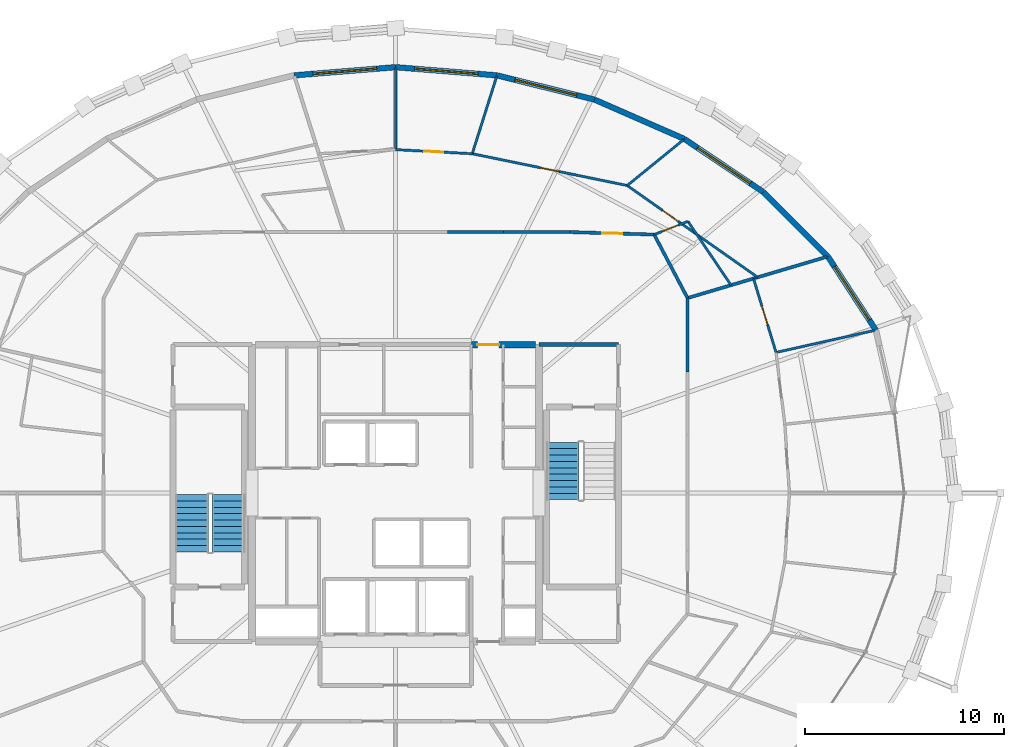
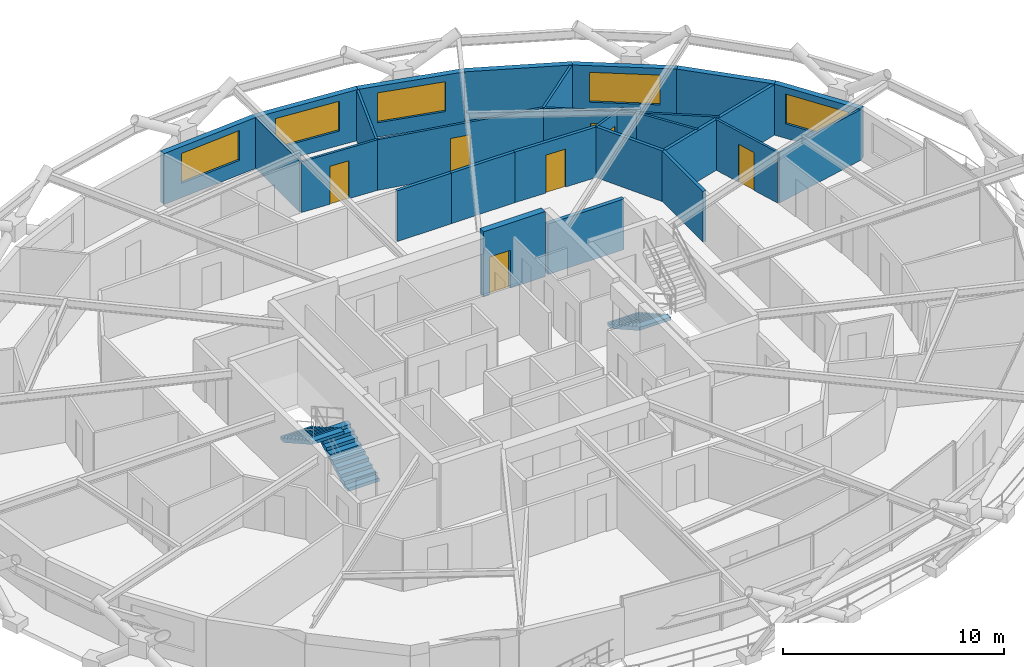
# One storey, part 18 of 20: 25 walls, 7 doors, 5 windows, 3 stair flights, 12 openings, 2 elements without a shape of their own.
"""IFC4 building model written with IfcOpenShell, lengths in metres."""

from ifc_helpers import new_model, si_unit, direction, frame, frame_2d, origin, place, context, subcontext, project, spatial, polyline, rectangle, outline, extrude, material, layer, layer_set, type_object, element, fill, aggregate, save


model = new_model("IFC4")

# Units and contexts
model_context = context("Model", 3, precision=1e-05, world=origin(), true_north=direction((0.0, 1.0)))
body_context = subcontext(model_context, "Body", "Model", "MODEL_VIEW")
ifc_project = project(units=[si_unit("LENGTHUNIT", "METRE"), si_unit("AREAUNIT", "SQUARE_METRE"), si_unit("VOLUMEUNIT", "CUBIC_METRE"), si_unit("PLANEANGLEUNIT", "RADIAN"), si_unit("MASSUNIT", "GRAM", prefix="KILO")], contexts=[model_context])

# Site, building, storey
site_placement = place(None, origin())
site = spatial("IfcSite", under=ifc_project, at=site_placement, CompositionType="ELEMENT")
building_placement = place(site_placement, origin())
building = spatial("IfcBuilding", under=site, at=building_placement, Name="Veldorina Hangang Commons", CompositionType="ELEMENT")
storey_placement = place(building_placement, frame((0.0, 0.0, 171.199951171875)))
storey = spatial("IfcBuildingStorey", under=building, at=storey_placement, Name="L44", CompositionType="ELEMENT", Elevation=171.199951171875)

# Wall, opening, door
ifc_material_1 = material(Name="Concrete C60/75", Category="concrete")
ifc_layer_1 = layer(ifc_material_1, 0.340087890625)
ifc_layer_set_1 = layer_set([ifc_layer_1], Name="Concrete C60/75")
wall_type_1 = type_object("IfcWallType", Name="CW-RC340-C60", PredefinedType="SHEAR", material=ifc_layer_set_1)
wall_1_placement = place(storey_placement, frame((35.800048828125, 31.449951171875, 0.0), z_axis=(0.0, 0.0, 1.0), x_axis=(1.0, 0.0, 0.0)))
wall_1 = element("IfcWall", 1, at=wall_1_placement, inside=storey, type_object=wall_type_1, Name="L44 north-east core shear wall", PredefinedType="SHEAR", context=body_context, shape_type="SweptSolid", body=[
    extrude(rectangle(XDim=3.22998046875, YDim=0.340087890625, at=frame_2d((1.614990234375, 0.0))), origin(), (0.0, 0.0, 1.0), 3.60009765625),
])
opening_1_placement = place(wall_1_placement, frame((0.300048828125, 0.0, 0.0)))
opening_1 = element("IfcOpeningElement", 2, at=opening_1_placement, cuts=wall_1, Name="Opening D-08", PredefinedType="OPENING", context=body_context, shape_type="SweptSolid", body=[
    extrude(rectangle(XDim=1.10009765625, YDim=2.10009765625, at=frame_2d((0.550048828125, 1.050048828125))), frame((0.0, 0.18017578125, 0.0), z_axis=(0.0, -1.0, 0.0), x_axis=(1.0, 0.0, 0.0)), (0.0, 0.0, 1.0), 0.360107421875),
])
ifc_material_2 = material(Name="Steel Fire-Rated Smoke Seal", Category="steel")
door_type_1 = type_object("IfcDoorType", Name="DR-FIRE-1100", OperationType="SINGLE_SWING_RIGHT", PredefinedType="DOOR", material=ifc_material_2)
door_1_placement = place(opening_1_placement, origin())
door_1 = element("IfcDoor", 3, at=door_1_placement, inside=storey, type_object=door_type_1, Name="L44 central lift lobby north corridor door", OperationType="SINGLE_SWING_LEFT", OverallHeight=2.10009765625, OverallWidth=1.10009765625, PredefinedType="DOOR", context=body_context, shape_type="SweptSolid", body=[
    extrude(rectangle(XDim=1.10009765625, YDim=2.10009765625, at=frame_2d((0.550048828125, 1.050048828125))), frame((0.0, 0.02490234375, 0.0), z_axis=(0.0, -1.0, 0.0), x_axis=(1.0, 0.0, 0.0)), (0.0, 0.0, 1.0), 0.050048828125),
])
fill(opening_1, door_1)

# Wall, opening, window
ifc_material_3 = material(Name="Stone Roman Travertine", Category="masonry")
ifc_layer_2 = layer(ifc_material_3, 0.280029296875)
ifc_layer_set_2 = layer_set([ifc_layer_2], Name="Stone Roman Travertine")
wall_type_2 = type_object("IfcWallType", Name="EW-TRAV-280", PredefinedType="STANDARD", material=ifc_layer_set_2)
wall_2_placement = place(storey_placement, frame((56.10205078125, 32.17919921875, 0.0), z_axis=(0.0, 0.0, 1.0), x_axis=(-0.546411241489, 0.837517017841, 0.0)))
wall_2 = element("IfcWall", 4, at=wall_2_placement, inside=storey, type_object=wall_type_2, Name="L44 travertine facade wall 02", PredefinedType="STANDARD", context=body_context, shape_type="SweptSolid", body=[
    extrude(rectangle(XDim=4.412109375, YDim=0.280029296875, at=frame_2d((2.2060546875, 0.0))), origin(), (0.0, 0.0, 1.0), 2.820068359375),
])
opening_2_placement = place(wall_2_placement, frame((0.60595703125, 0.0, 0.800048828125)))
opening_2 = element("IfcOpeningElement", 5, at=opening_2_placement, cuts=wall_2, Name="Opening W-01", PredefinedType="OPENING", context=body_context, shape_type="SweptSolid", body=[
    extrude(rectangle(XDim=3.199951171875, YDim=1.64990234375, at=frame_2d((1.60009765625, 0.824951171875))), frame((0.0, 0.14990234375, 0.0), z_axis=(0.0, -1.0, 0.0), x_axis=(1.0, 0.0, 0.0)), (0.0, 0.0, 1.0), 0.300048828125),
])
ifc_material_4 = material(Name="Glass Low-E Triple IGU", Category="glass")
window_type = type_object("IfcWindowType", Name="WIN-TWR-3200", PartitioningType="SINGLE_PANEL", PredefinedType="WINDOW", material=ifc_material_4)
window_1_placement = place(opening_2_placement, origin())
window_1 = element("IfcWindow", 6, at=window_1_placement, inside=storey, type_object=window_type, Name="L44 facade window 02", OverallHeight=1.64990234375, OverallWidth=3.199951171875, PartitioningType="SINGLE_PANEL", PredefinedType="WINDOW", context=body_context, shape_type="SweptSolid", body=[
    extrude(rectangle(XDim=3.199951171875, YDim=1.64990234375, at=frame_2d((1.60009765625, 0.824951171875))), frame((0.0, 0.030029296875, 0.0), z_axis=(0.0, -1.0, 0.0), x_axis=(1.0, 0.0, 0.0)), (0.0, 0.0, 1.0), 0.06005859375),
])
fill(opening_2, window_1)

# Wall
wall_3_placement = place(storey_placement, frame((53.691162109375, 35.87451171875, 0.0), z_axis=(0.0, 0.0, 1.0), x_axis=(-0.707692376563, 0.706520700443, 0.0)))
element("IfcWall", 7, at=wall_3_placement, inside=storey, type_object=wall_type_2, Name="L44 travertine facade wall 03", PredefinedType="STANDARD", context=body_context, shape_type="SweptSolid", body=[
    extrude(rectangle(XDim=4.584228515625, YDim=0.280029296875, at=frame_2d((2.2919921875, 0.0))), origin(), (0.0, 0.0, 1.0), 2.820068359375),
])

# Wall, opening, window
wall_4_placement = place(storey_placement, frame((50.447021484375, 39.11328125, 0.0), z_axis=(0.0, 0.0, 1.0), x_axis=(-0.82985197946, 0.557983594909, 0.0)))
wall_4 = element("IfcWall", 8, at=wall_4_placement, inside=storey, type_object=wall_type_2, Name="L44 travertine facade wall 04", PredefinedType="STANDARD", context=body_context, shape_type="SweptSolid", body=[
    extrude(rectangle(XDim=4.763916015625, YDim=0.280029296875, at=frame_2d((2.3818359375, 0.0))), origin(), (0.0, 0.0, 1.0), 2.820068359375),
])
opening_3_placement = place(wall_4_placement, frame((0.781982421875, 0.0, 0.800048828125)))
opening_3 = element("IfcOpeningElement", 9, at=opening_3_placement, cuts=wall_4, Name="Opening W-01", PredefinedType="OPENING", context=body_context, shape_type="SweptSolid", body=[
    extrude(rectangle(XDim=3.199951171875, YDim=1.64990234375, at=frame_2d((1.60009765625, 0.824951171875))), frame((0.0, 0.14990234375, 0.0), z_axis=(0.0, -1.0, 0.0), x_axis=(1.0, 0.0, 0.0)), (0.0, 0.0, 1.0), 0.300048828125),
])
window_2_placement = place(opening_3_placement, origin())
window_2 = element("IfcWindow", 10, at=window_2_placement, inside=storey, type_object=window_type, Name="L44 facade window 04", OverallHeight=1.64990234375, OverallWidth=3.199951171875, PartitioningType="SINGLE_PANEL", PredefinedType="WINDOW", context=body_context, shape_type="SweptSolid", body=[
    extrude(rectangle(XDim=3.199951171875, YDim=1.64990234375, at=frame_2d((1.60009765625, 0.824951171875))), frame((0.0, 0.030029296875, 0.0), z_axis=(0.0, -1.0, 0.0), x_axis=(1.0, 0.0, 0.0)), (0.0, 0.0, 1.0), 0.06005859375),
])
fill(opening_3, window_2)

# Wall
wall_5_placement = place(storey_placement, frame((46.49365234375, 41.771484375, 0.0), z_axis=(0.0, 0.0, 1.0), x_axis=(-0.916018444192, 0.401136148832, 0.0)))
element("IfcWall", 11, at=wall_5_placement, inside=storey, type_object=wall_type_2, Name="L44 travertine facade wall 05", PredefinedType="STANDARD", context=body_context, shape_type="SweptSolid", body=[
    extrude(rectangle(XDim=4.923828125, YDim=0.280029296875, at=frame_2d((2.4619140625, 0.0))), origin(), (0.0, 0.0, 1.0), 2.820068359375),
])

# Wall, opening, window
wall_6_placement = place(storey_placement, frame((41.9833984375, 43.74658203125, 0.0), z_axis=(0.0, 0.0, 1.0), x_axis=(-0.970474792374, 0.241202565009, 0.0)))
wall_6 = element("IfcWall", 12, at=wall_6_placement, inside=storey, type_object=wall_type_2, Name="L44 travertine facade wall 06", PredefinedType="STANDARD", context=body_context, shape_type="SweptSolid", body=[
    extrude(rectangle(XDim=5.042724609375, YDim=0.280029296875, at=frame_2d((2.521484375, 0.0))), origin(), (0.0, 0.0, 1.0), 2.820068359375),
])
opening_4_placement = place(wall_6_placement, frame((0.92138671875, 0.0, 0.800048828125)))
opening_4 = element("IfcOpeningElement", 13, at=opening_4_placement, cuts=wall_6, Name="Opening W-01", PredefinedType="OPENING", context=body_context, shape_type="SweptSolid", body=[
    extrude(rectangle(XDim=3.199951171875, YDim=1.64990234375, at=frame_2d((1.60009765625, 0.824951171875))), frame((0.0, 0.14990234375, 0.0), z_axis=(0.0, -1.0, 0.0), x_axis=(1.0, 0.0, 0.0)), (0.0, 0.0, 1.0), 0.300048828125),
])
window_3_placement = place(opening_4_placement, origin())
window_3 = element("IfcWindow", 14, at=window_3_placement, inside=storey, type_object=window_type, Name="L44 facade window 06", OverallHeight=1.64990234375, OverallWidth=3.199951171875, PartitioningType="SINGLE_PANEL", PredefinedType="WINDOW", context=body_context, shape_type="SweptSolid", body=[
    extrude(rectangle(XDim=3.199951171875, YDim=1.64990234375, at=frame_2d((1.60009765625, 0.824951171875))), frame((0.0, 0.030029296875, 0.0), z_axis=(0.0, -1.0, 0.0), x_axis=(1.0, 0.0, 0.0)), (0.0, 0.0, 1.0), 0.06005859375),
])
fill(opening_4, window_3)

wall_7_placement = place(storey_placement, frame((37.089599609375, 44.962890625, 0.0), z_axis=(0.0, 0.0, 1.0), x_axis=(-0.996760926591, 0.080421733512, 0.0)))
wall_7 = element("IfcWall", 15, at=wall_7_placement, inside=storey, type_object=wall_type_2, Name="L44 travertine facade wall 07", PredefinedType="STANDARD", context=body_context, shape_type="SweptSolid", body=[
    extrude(rectangle(XDim=5.106201171875, YDim=0.280029296875, at=frame_2d((2.55322265625, 0.0))), origin(), (0.0, 0.0, 1.0), 2.820068359375),
])
opening_5_placement = place(wall_7_placement, frame((0.952880859375, 0.0, 0.800048828125)))
opening_5 = element("IfcOpeningElement", 16, at=opening_5_placement, cuts=wall_7, Name="Opening W-01", PredefinedType="OPENING", context=body_context, shape_type="SweptSolid", body=[
    extrude(rectangle(XDim=3.199951171875, YDim=1.64990234375, at=frame_2d((1.60009765625, 0.824951171875))), frame((0.0, 0.14990234375, 0.0), z_axis=(0.0, -1.0, 0.0), x_axis=(1.0, 0.0, 0.0)), (0.0, 0.0, 1.0), 0.300048828125),
])
window_4_placement = place(opening_5_placement, origin())
window_4 = element("IfcWindow", 17, at=window_4_placement, inside=storey, type_object=window_type, Name="L44 facade window 07", OverallHeight=1.64990234375, OverallWidth=3.199951171875, PartitioningType="SINGLE_PANEL", PredefinedType="WINDOW", context=body_context, shape_type="SweptSolid", body=[
    extrude(rectangle(XDim=3.199951171875, YDim=1.64990234375, at=frame_2d((1.60009765625, 0.824951171875))), frame((0.0, 0.030029296875, 0.0), z_axis=(0.0, -1.0, 0.0), x_axis=(1.0, 0.0, 0.0)), (0.0, 0.0, 1.0), 0.06005859375),
])
fill(opening_5, window_4)

wall_8_placement = place(storey_placement, frame((32.0, 45.37353515625, 0.0), z_axis=(0.0, 0.0, 1.0), x_axis=(-0.996760926591, -0.080421733512, 0.0)))
wall_8 = element("IfcWall", 18, at=wall_8_placement, inside=storey, type_object=wall_type_2, Name="L44 travertine facade wall 08", PredefinedType="STANDARD", context=body_context, shape_type="SweptSolid", body=[
    extrude(rectangle(XDim=5.106201171875, YDim=0.280029296875, at=frame_2d((2.55322265625, 0.0))), origin(), (0.0, 0.0, 1.0), 2.820068359375),
])
opening_6_placement = place(wall_8_placement, frame((0.952880859375, 0.0, 0.800048828125)))
opening_6 = element("IfcOpeningElement", 19, at=opening_6_placement, cuts=wall_8, Name="Opening W-01", PredefinedType="OPENING", context=body_context, shape_type="SweptSolid", body=[
    extrude(rectangle(XDim=3.199951171875, YDim=1.64990234375, at=frame_2d((1.60009765625, 0.824951171875))), frame((0.0, 0.14990234375, 0.0), z_axis=(0.0, -1.0, 0.0), x_axis=(1.0, 0.0, 0.0)), (0.0, 0.0, 1.0), 0.300048828125),
])
window_5_placement = place(opening_6_placement, origin())
window_5 = element("IfcWindow", 20, at=window_5_placement, inside=storey, type_object=window_type, Name="L44 facade window 08", OverallHeight=1.64990234375, OverallWidth=3.199951171875, PartitioningType="SINGLE_PANEL", PredefinedType="WINDOW", context=body_context, shape_type="SweptSolid", body=[
    extrude(rectangle(XDim=3.199951171875, YDim=1.64990234375, at=frame_2d((1.60009765625, 0.824951171875))), frame((0.0, 0.030029296875, 0.0), z_axis=(0.0, -1.0, 0.0), x_axis=(1.0, 0.0, 0.0)), (0.0, 0.0, 1.0), 0.06005859375),
])
fill(opening_6, window_5)

# Walls
ifc_material_5 = material(Name="Gypsum Fire-Rated Twin Stud Wall", Category="gypsum")
ifc_layer_3 = layer(ifc_material_5, 0.159912109375)
ifc_layer_set_3 = layer_set([ifc_layer_3], Name="Gypsum Fire-Rated Twin Stud Wall")
wall_type_3 = type_object("IfcWallType", Name="WL-FIRE-160", PredefinedType="SOLIDWALL", material=ifc_layer_set_3)
wall_9_placement = place(storey_placement, frame((46.64990234375, 30.068115234375, 0.0), z_axis=(0.0, 0.0, 1.0), x_axis=(0.0, 1.0, 0.0)))
element("IfcWall", 21, at=wall_9_placement, inside=storey, type_object=wall_type_3, Name="L44 U-corridor outer wall 02 052", PredefinedType="SOLIDWALL", context=body_context, shape_type="SweptSolid", body=[
    extrude(rectangle(XDim=3.720703125, YDim=0.159912109375, at=frame_2d((1.8603515625, 0.0))), origin(), (0.0, 0.0, 1.0), 2.800048828125),
])
wall_10_placement = place(storey_placement, frame((46.64990234375, 33.788818359375, 0.0), z_axis=(0.0, 0.0, 1.0), x_axis=(-0.46527115782, 0.885168204185, 0.0)))
element("IfcWall", 22, at=wall_10_placement, inside=storey, type_object=wall_type_3, Name="L44 U-corridor outer wall 03 053", PredefinedType="SOLIDWALL", context=body_context, shape_type="SweptSolid", body=[
    extrude(rectangle(XDim=3.599609375, YDim=0.159912109375, at=frame_2d((1.7998046875, 0.0))), origin(), (0.0, 0.0, 1.0), 2.800048828125),
])

# Wall, opening, door
wall_11_placement = place(storey_placement, frame((44.97509765625, 36.97509765625, 0.0), z_axis=(0.0, 0.0, 1.0), x_axis=(-0.999561990195, 0.029594387265, 0.0)))
wall_11 = element("IfcWall", 23, at=wall_11_placement, inside=storey, type_object=wall_type_3, Name="L44 U-corridor outer wall 04 054", PredefinedType="SOLIDWALL", context=body_context, shape_type="SweptSolid", body=[
    extrude(rectangle(XDim=4.223876953125, YDim=0.159912109375, at=frame_2d((2.11181640625, 0.0))), origin(), (0.0, 0.0, 1.0), 2.800048828125),
])
opening_7_placement = place(wall_11_placement, frame((1.61181640625, 0.0, 0.0)))
opening_7 = element("IfcOpeningElement", 24, at=opening_7_placement, cuts=wall_11, Name="Opening D-06", PredefinedType="OPENING", context=body_context, shape_type="SweptSolid", body=[
    extrude(rectangle(XDim=1.0, YDim=2.10009765625, at=frame_2d((0.5, 1.050048828125))), frame((0.0, 0.08984375, 0.0), z_axis=(0.0, -1.0, 0.0), x_axis=(1.0, 0.0, 0.0)), (0.0, 0.0, 1.0), 0.179931640625),
])
ifc_material_6 = material(Name="Timber Fire-Rated Entrance Core", Category="wood")
door_type_2 = type_object("IfcDoorType", Name="DR-UNIT-1000", OperationType="SINGLE_SWING_LEFT", PredefinedType="DOOR", material=ifc_material_6)
door_2_placement = place(opening_7_placement, origin())
door_2 = element("IfcDoor", 25, at=door_2_placement, inside=storey, type_object=door_type_2, Name="L44 Cluster 3 entrance door 033", OperationType="SINGLE_SWING_LEFT", OverallHeight=2.10009765625, OverallWidth=1.0, PredefinedType="DOOR", context=body_context, shape_type="SweptSolid", body=[
    extrude(rectangle(XDim=1.0, YDim=2.10009765625, at=frame_2d((0.5, 1.050048828125))), frame((0.0, 0.02490234375, 0.0), z_axis=(0.0, -1.0, 0.0), x_axis=(1.0, 0.0, 0.0)), (0.0, 0.0, 1.0), 0.050048828125),
])
fill(opening_7, door_2)

# Walls
wall_12_placement = place(storey_placement, frame((40.753173828125, 37.10009765625, 0.0), z_axis=(0.0, 0.0, 1.0), x_axis=(-1.0, 0.0, 0.0)))
element("IfcWall", 26, at=wall_12_placement, inside=storey, type_object=wall_type_3, Name="L44 U-corridor outer wall 05 055", PredefinedType="SOLIDWALL", context=body_context, shape_type="SweptSolid", body=[
    extrude(rectangle(XDim=3.326904296875, YDim=0.159912109375, at=frame_2d((1.66357421875, 0.0))), origin(), (0.0, 0.0, 1.0), 2.800048828125),
])
wall_13_placement = place(storey_placement, frame((37.42626953125, 37.10009765625, 0.0), z_axis=(0.0, 0.0, 1.0), x_axis=(-1.0, 0.0, 0.0)))
element("IfcWall", 27, at=wall_13_placement, inside=storey, type_object=wall_type_3, Name="L44 U-corridor outer wall 06 056", PredefinedType="SOLIDWALL", context=body_context, shape_type="SweptSolid", body=[
    extrude(rectangle(XDim=2.820556640625, YDim=0.159912109375, at=frame_2d((1.41015625, 0.0))), origin(), (0.0, 0.0, 1.0), 2.800048828125),
])
wall_14_placement = place(storey_placement, frame((46.64990234375, 33.788818359375, 0.0), z_axis=(0.0, 0.0, 1.0), x_axis=(0.958820059034, 0.284014250337, 0.0)))
element("IfcWall", 28, at=wall_14_placement, inside=storey, type_object=wall_type_3, Name="L44 Unit party wall 03 100", PredefinedType="SOLIDWALL", context=body_context, shape_type="SweptSolid", body=[
    extrude(rectangle(XDim=7.293701171875, YDim=0.159912109375, at=frame_2d((3.64697265625, 0.0))), origin(), (0.0, 0.0, 1.0), 2.800048828125),
])
ifc_material_7 = material(Name="Concrete Blockwork Fire Wall C30/37", Category="masonry")
ifc_layer_4 = layer(ifc_material_7, 0.199951171875)
ifc_layer_set_4 = layer_set([ifc_layer_4], Name="Concrete Blockwork Fire Wall C30/37")
wall_type_4 = type_object("IfcWallType", Name="WL-FIRE-200", PredefinedType="SOLIDWALL", material=ifc_layer_set_4)
wall_15_placement = place(storey_placement, frame((39.199951171875, 31.449951171875, 0.0), z_axis=(0.0, 0.0, 1.0), x_axis=(1.0, 0.0, 0.0)))
element("IfcWall", 29, at=wall_15_placement, inside=storey, type_object=wall_type_4, Name="L44 East vestibule north wall 004", PredefinedType="SOLIDWALL", context=body_context, shape_type="SweptSolid", body=[
    extrude(rectangle(XDim=3.97998046875, YDim=0.199951171875, at=frame_2d((1.989990234375, 0.0))), origin(), (0.0, 0.0, 1.0), 2.800048828125),
])

# Wall, opening, door
ifc_material_8 = material(Name="Gypsum Acoustic Stud Partition", Category="gypsum")
ifc_layer_5 = layer(ifc_material_8, 0.1201171875)
ifc_layer_set_5 = layer_set([ifc_layer_5], Name="Gypsum Acoustic Stud Partition")
wall_type_5 = type_object("IfcWallType", Name="WL-PART-120", PredefinedType="PARTITIONING", material=ifc_layer_set_5)
wall_16_placement = place(storey_placement, frame((51.09228515625, 31.060302734375, 0.0), z_axis=(0.0, 0.0, 1.0), x_axis=(-0.292120966116, 0.956381378507, 0.0)))
wall_16 = element("IfcWall", 30, at=wall_16_placement, inside=storey, type_object=wall_type_5, Name="L44 Cluster 2 bed 6 front wall 098", PredefinedType="PARTITIONING", context=body_context, shape_type="SweptSolid", body=[
    extrude(rectangle(XDim=3.8779296875, YDim=0.1201171875, at=frame_2d((1.93896484375, 0.0))), origin(), (0.0, 0.0, 1.0), 2.800048828125),
])
opening_8_placement = place(wall_16_placement, frame((1.464111328125, 0.0, 0.0)))
opening_8 = element("IfcOpeningElement", 31, at=opening_8_placement, cuts=wall_16, Name="Opening D-02", PredefinedType="OPENING", context=body_context, shape_type="SweptSolid", body=[
    extrude(rectangle(XDim=0.949951171875, YDim=2.10009765625, at=frame_2d((0.47509765625, 1.050048828125))), frame((0.0, 0.070068359375, 0.0), z_axis=(0.0, -1.0, 0.0), x_axis=(1.0, 0.0, 0.0)), (0.0, 0.0, 1.0), 0.14013671875),
])
ifc_material_9 = material(Name="Timber Solid Core Acoustic", Category="wood")
door_type_3 = type_object("IfcDoorType", Name="DR-INT-950", OperationType="SINGLE_SWING_LEFT", PredefinedType="DOOR", material=ifc_material_9)
door_3_placement = place(opening_8_placement, origin())
door_3 = element("IfcDoor", 32, at=door_3_placement, inside=storey, type_object=door_type_3, Name="L44 Cluster 2 bed 6 door 031", OperationType="SINGLE_SWING_LEFT", OverallHeight=2.10009765625, OverallWidth=0.949951171875, PredefinedType="DOOR", context=body_context, shape_type="SweptSolid", body=[
    extrude(rectangle(XDim=0.949951171875, YDim=2.10009765625, at=frame_2d((0.47509765625, 1.050048828125))), frame((0.0, 0.02490234375, 0.0), z_axis=(0.0, -1.0, 0.0), x_axis=(1.0, 0.0, 0.0)), (0.0, 0.0, 1.0), 0.050048828125),
])
fill(opening_8, door_3)

# Walls
wall_17_placement = place(storey_placement, frame((51.09228515625, 31.060302734375, 0.0), z_axis=(0.0, 0.0, 1.0), x_axis=(0.9759480209, 0.218003349747, 0.0)))
element("IfcWall", 33, at=wall_17_placement, inside=storey, type_object=wall_type_5, Name="L44 Cluster 2 bed divider 5 099", PredefinedType="PARTITIONING", context=body_context, shape_type="SweptSolid", body=[
    extrude(rectangle(XDim=5.083251953125, YDim=0.1201171875, at=frame_2d((2.54150390625, 0.0))), origin(), (0.0, 0.0, 1.0), 2.800048828125),
])
wall_18_placement = place(storey_placement, frame((48.832763671875, 34.435302734375, 0.0), z_axis=(0.0, 0.0, 1.0), x_axis=(-0.559401227458, 0.828897018162, 0.0)))
element("IfcWall", 34, at=wall_18_placement, inside=storey, type_object=wall_type_5, Name="L44 Cluster 3 bath front wall 101", PredefinedType="PARTITIONING", context=body_context, shape_type="SweptSolid", body=[
    extrude(rectangle(XDim=3.86376953125, YDim=0.1201171875, at=frame_2d((1.931884765625, 0.0))), origin(), (0.0, 0.0, 1.0), 2.800048828125),
])

# Wall, opening, door
wall_19_placement = place(storey_placement, frame((44.97509765625, 36.97509765625, 0.0), z_axis=(0.0, 0.0, 1.0), x_axis=(0.931414749869, 0.363959563312, 0.0)))
wall_19 = element("IfcWall", 35, at=wall_19_placement, inside=storey, type_object=wall_type_5, Name="L44 Cluster 3 bath side wall 102", PredefinedType="PARTITIONING", context=body_context, shape_type="SweptSolid", body=[
    extrude(rectangle(XDim=1.8212890625, YDim=0.1201171875, at=frame_2d((0.91064453125, 0.0))), origin(), (0.0, 0.0, 1.0), 2.800048828125),
])
opening_9_placement = place(wall_19_placement, frame((0.43994140625, 0.0, 0.0)))
opening_9 = element("IfcOpeningElement", 36, at=opening_9_placement, cuts=wall_19, Name="Opening D-01", PredefinedType="OPENING", context=body_context, shape_type="SweptSolid", body=[
    extrude(rectangle(XDim=0.860107421875, YDim=2.10009765625, at=frame_2d((0.43017578125, 1.050048828125))), frame((0.0, 0.070068359375, 0.0), z_axis=(0.0, -1.0, 0.0), x_axis=(1.0, 0.0, 0.0)), (0.0, 0.0, 1.0), 0.14013671875),
])
ifc_material_10 = material(Name="Timber Moisture-Resistant Core", Category="wood")
door_type_4 = type_object("IfcDoorType", Name="DR-WET-860", OperationType="SINGLE_SWING_LEFT", PredefinedType="DOOR", material=ifc_material_10)
door_4_placement = place(opening_9_placement, origin())
door_4 = element("IfcDoor", 37, at=door_4_placement, inside=storey, type_object=door_type_4, Name="L44 Cluster 3 shared bathroom door 032", OperationType="SINGLE_SWING_RIGHT", OverallHeight=2.10009765625, OverallWidth=0.860107421875, PredefinedType="DOOR", context=body_context, shape_type="SweptSolid", body=[
    extrude(rectangle(XDim=0.860107421875, YDim=2.10009765625, at=frame_2d((0.43017578125, 1.050048828125))), frame((0.0, 0.02490234375, 0.0), z_axis=(0.0, -1.0, 0.0), x_axis=(1.0, 0.0, 0.0)), (0.0, 0.0, 1.0), 0.050048828125),
])
fill(opening_9, door_4)

wall_20_placement = place(storey_placement, frame((50.170654296875, 34.83154296875, 0.0), z_axis=(0.0, 0.0, 1.0), x_axis=(-0.81799193286, 0.57522969132, 0.0)))
wall_20 = element("IfcWall", 38, at=wall_20_placement, inside=storey, type_object=wall_type_5, Name="L44 Cluster 3 bed 1 front wall 103", PredefinedType="PARTITIONING", context=body_context, shape_type="SweptSolid", body=[
    extrude(rectangle(XDim=8.004150390625, YDim=0.1201171875, at=frame_2d((4.001953125, 0.0))), origin(), (0.0, 0.0, 1.0), 2.800048828125),
])
opening_10_placement = place(wall_20_placement, frame((4.88525390625, 0.0, 0.0)))
opening_10 = element("IfcOpeningElement", 39, at=opening_10_placement, cuts=wall_20, Name="Opening D-02", PredefinedType="OPENING", context=body_context, shape_type="SweptSolid", body=[
    extrude(rectangle(XDim=0.949951171875, YDim=2.10009765625, at=frame_2d((0.47509765625, 1.050048828125))), frame((0.0, 0.070068359375, 0.0), z_axis=(0.0, -1.0, 0.0), x_axis=(1.0, 0.0, 0.0)), (0.0, 0.0, 1.0), 0.14013671875),
])
door_5_placement = place(opening_10_placement, origin())
door_5 = element("IfcDoor", 40, at=door_5_placement, inside=storey, type_object=door_type_3, Name="L44 Cluster 3 bed 1 door 034", OperationType="SINGLE_SWING_RIGHT", OverallHeight=2.10009765625, OverallWidth=0.949951171875, PredefinedType="DOOR", context=body_context, shape_type="SweptSolid", body=[
    extrude(rectangle(XDim=0.949951171875, YDim=2.10009765625, at=frame_2d((0.47509765625, 1.050048828125))), frame((0.0, 0.02490234375, 0.0), z_axis=(0.0, -1.0, 0.0), x_axis=(1.0, 0.0, 0.0)), (0.0, 0.0, 1.0), 0.050048828125),
])
fill(opening_10, door_5)

wall_21_placement = place(storey_placement, frame((43.623291015625, 39.435791015625, 0.0), z_axis=(0.0, 0.0, 1.0), x_axis=(-0.979585309952, 0.201028904702, 0.0)))
wall_21 = element("IfcWall", 41, at=wall_21_placement, inside=storey, type_object=wall_type_5, Name="L44 Cluster 3 bed 2 front wall 104", PredefinedType="PARTITIONING", context=body_context, shape_type="SweptSolid", body=[
    extrude(rectangle(XDim=7.937744140625, YDim=0.1201171875, at=frame_2d((3.96875, 0.0))), origin(), (0.0, 0.0, 1.0), 2.800048828125),
])
opening_11_placement = place(wall_21_placement, frame((3.493896484375, 0.0, 0.0)))
opening_11 = element("IfcOpeningElement", 42, at=opening_11_placement, cuts=wall_21, Name="Opening D-02", PredefinedType="OPENING", context=body_context, shape_type="SweptSolid", body=[
    extrude(rectangle(XDim=0.949951171875, YDim=2.10009765625, at=frame_2d((0.47509765625, 1.050048828125))), frame((0.0, 0.070068359375, 0.0), z_axis=(0.0, -1.0, 0.0), x_axis=(1.0, 0.0, 0.0)), (0.0, 0.0, 1.0), 0.14013671875),
])
door_6_placement = place(opening_11_placement, origin())
door_6 = element("IfcDoor", 43, at=door_6_placement, inside=storey, type_object=door_type_3, Name="L44 Cluster 3 bed 2 door 035", OperationType="SINGLE_SWING_LEFT", OverallHeight=2.10009765625, OverallWidth=0.949951171875, PredefinedType="DOOR", context=body_context, shape_type="SweptSolid", body=[
    extrude(rectangle(XDim=0.949951171875, YDim=2.10009765625, at=frame_2d((0.47509765625, 1.050048828125))), frame((0.0, 0.02490234375, 0.0), z_axis=(0.0, -1.0, 0.0), x_axis=(1.0, 0.0, 0.0)), (0.0, 0.0, 1.0), 0.050048828125),
])
fill(opening_11, door_6)

# Wall
wall_22_placement = place(storey_placement, frame((43.623291015625, 39.435791015625, 0.0), z_axis=(0.0, 0.0, 1.0), x_axis=(0.77566783813, 0.63114135096, 0.0)))
element("IfcWall", 44, at=wall_22_placement, inside=storey, type_object=wall_type_5, Name="L44 Cluster 3 bed divider 1 105", PredefinedType="PARTITIONING", context=body_context, shape_type="SweptSolid", body=[
    extrude(rectangle(XDim=3.650390625, YDim=0.1201171875, at=frame_2d((1.8251953125, 0.0))), origin(), (0.0, 0.0, 1.0), 2.800048828125),
])

# Wall, opening, door
wall_23_placement = place(storey_placement, frame((35.84765625, 41.031494140625, 0.0), z_axis=(0.0, 0.0, 1.0), x_axis=(-0.998579231715, 0.053287127784, 0.0)))
wall_23 = element("IfcWall", 45, at=wall_23_placement, inside=storey, type_object=wall_type_5, Name="L44 Cluster 3 bed 3 front wall 106", PredefinedType="PARTITIONING", context=body_context, shape_type="SweptSolid", body=[
    extrude(rectangle(XDim=3.85302734375, YDim=0.1201171875, at=frame_2d((1.926513671875, 0.0))), origin(), (0.0, 0.0, 1.0), 2.800048828125),
])
opening_12_placement = place(wall_23_placement, frame((1.45166015625, 0.0, 0.0)))
opening_12 = element("IfcOpeningElement", 46, at=opening_12_placement, cuts=wall_23, Name="Opening D-02", PredefinedType="OPENING", context=body_context, shape_type="SweptSolid", body=[
    extrude(rectangle(XDim=0.949951171875, YDim=2.10009765625, at=frame_2d((0.47509765625, 1.050048828125))), frame((0.0, 0.070068359375, 0.0), z_axis=(0.0, -1.0, 0.0), x_axis=(1.0, 0.0, 0.0)), (0.0, 0.0, 1.0), 0.14013671875),
])
door_7_placement = place(opening_12_placement, origin())
door_7 = element("IfcDoor", 47, at=door_7_placement, inside=storey, type_object=door_type_3, Name="L44 Cluster 3 bed 3 door 036", OperationType="SINGLE_SWING_RIGHT", OverallHeight=2.10009765625, OverallWidth=0.949951171875, PredefinedType="DOOR", context=body_context, shape_type="SweptSolid", body=[
    extrude(rectangle(XDim=0.949951171875, YDim=2.10009765625, at=frame_2d((0.47509765625, 1.050048828125))), frame((0.0, 0.02490234375, 0.0), z_axis=(0.0, -1.0, 0.0), x_axis=(1.0, 0.0, 0.0)), (0.0, 0.0, 1.0), 0.050048828125),
])
fill(opening_12, door_7)

# Walls
wall_24_placement = place(storey_placement, frame((35.84765625, 41.031494140625, 0.0), z_axis=(0.0, 0.0, 1.0), x_axis=(0.301226041054, 0.953552763192, 0.0)))
element("IfcWall", 48, at=wall_24_placement, inside=storey, type_object=wall_type_5, Name="L44 Cluster 3 bed divider 2 107", PredefinedType="PARTITIONING", context=body_context, shape_type="SweptSolid", body=[
    extrude(rectangle(XDim=4.07275390625, YDim=0.1201171875, at=frame_2d((2.036376953125, 0.0))), origin(), (0.0, 0.0, 1.0), 2.800048828125),
])
wall_25_placement = place(storey_placement, frame((32.0, 41.23681640625, 0.0), z_axis=(0.0, 0.0, 1.0), x_axis=(0.0, 1.0, 0.0)))
element("IfcWall", 49, at=wall_25_placement, inside=storey, type_object=wall_type_5, Name="L44 Cluster 3 bed divider 3 109", PredefinedType="PARTITIONING", context=body_context, shape_type="SweptSolid", body=[
    extrude(rectangle(XDim=4.086669921875, YDim=0.1201171875, at=frame_2d((2.04345703125, 0.0))), origin(), (0.0, 0.0, 1.0), 2.800048828125),
])

# Stair, stair flights
ifc_material_11 = material(Name="Concrete C40/50", Category="concrete")
stair_type = type_object("IfcStairType", Name="STR-DOG-1650-20R", PredefinedType="HALF_TURN_STAIR", material=ifc_material_11)
stair_1_placement = place(storey_placement, origin())
stair_1 = element("IfcStair", 50, at=stair_1_placement, inside=storey, type_object=stair_type, Name="L44 Exit stair ST-1", PredefinedType="HALF_TURN_STAIR")
stair_flight_type = type_object("IfcStairFlightType", Name="SFL-STR-1650-20R", PredefinedType="STRAIGHT", material=ifc_material_11)
stair_flight_1_placement = place(storey_placement, frame((23.625, 21.050048828125, 0.0), z_axis=(0.0, 0.0, 1.0), x_axis=(0.0, 1.0, 0.0)))
stair_flight_1 = element("IfcStairFlight", 51, at=stair_flight_1_placement, type_object=stair_flight_type, Name="ST-1 flight 1", NumberOfRisers=10, NumberOfTreads=9, PredefinedType="STRAIGHT", RiserHeight=0.18, TreadLength=0.32, context=body_context, shape_type="SweptSolid", body=[
    extrude(outline(polyline([(0.0, 0.0), (0.0, 0.179931640625), (0.320068359375, 0.179931640625), (0.320068359375, 0.360107421875), (0.639892578125, 0.360107421875), (0.639892578125, 0.5400390625), (0.9599609375, 0.5400390625), (0.9599609375, 0.719970703125), (1.280029296875, 0.719970703125), (1.280029296875, 0.89990234375), (1.60009765625, 0.89990234375), (1.60009765625, 1.080078125), (1.919921875, 1.080078125), (1.919921875, 1.260009765625), (2.239990234375, 1.260009765625), (2.239990234375, 1.43994140625), (2.56005859375, 1.43994140625), (2.56005859375, 1.6201171875), (2.8798828125, 1.6201171875), (2.8798828125, 1.800048828125), (2.8798828125, 1.447998046875), (0.3056640625, 0.0), (0.0, 0.0)])), frame((0.0, 0.824951171875, 0.0), z_axis=(0.0, -1.0, 0.0), x_axis=(1.0, 0.0, 0.0)), (0.0, 0.0, 1.0), 1.64990234375),
])
stair_flight_2_placement = place(storey_placement, frame((21.77490234375, 23.929931640625, 1.800048828125), z_axis=(0.0, 0.0, 1.0), x_axis=(0.0, -1.0, 0.0)))
stair_flight_2 = element("IfcStairFlight", 52, at=stair_flight_2_placement, type_object=stair_flight_type, Name="ST-1 flight 2", NumberOfRisers=10, NumberOfTreads=9, PredefinedType="STRAIGHT", RiserHeight=0.18, TreadLength=0.32, context=body_context, shape_type="SweptSolid", body=[
    extrude(outline(polyline([(0.0, 0.0), (0.0, 0.179931640625), (0.320068359375, 0.179931640625), (0.320068359375, 0.360107421875), (0.639892578125, 0.360107421875), (0.639892578125, 0.5400390625), (0.9599609375, 0.5400390625), (0.9599609375, 0.719970703125), (1.280029296875, 0.719970703125), (1.280029296875, 0.89990234375), (1.60009765625, 0.89990234375), (1.60009765625, 1.080078125), (1.919921875, 1.080078125), (1.919921875, 1.260009765625), (2.239990234375, 1.260009765625), (2.239990234375, 1.43994140625), (2.56005859375, 1.43994140625), (2.56005859375, 1.6201171875), (2.8798828125, 1.6201171875), (2.8798828125, 1.800048828125), (2.8798828125, 1.447998046875), (0.3056640625, 0.0), (0.0, 0.0)])), frame((0.0, 0.824951171875, 0.0), z_axis=(0.0, -1.0, 0.0), x_axis=(1.0, 0.0, 0.0)), (0.0, 0.0, 1.0), 1.64990234375),
])
aggregate(stair_1, [stair_flight_1, stair_flight_2])

# Stair, stair flight
stair_2_placement = place(storey_placement, origin())
stair_2 = element("IfcStair", 53, at=stair_2_placement, inside=storey, type_object=stair_type, Name="L44 Exit stair ST-2", PredefinedType="HALF_TURN_STAIR")
stair_flight_3_placement = place(storey_placement, frame((40.375, 26.550048828125, 0.0), z_axis=(0.0, 0.0, 1.0), x_axis=(0.0, -1.0, 0.0)))
stair_flight_3 = element("IfcStairFlight", 54, at=stair_flight_3_placement, type_object=stair_flight_type, Name="ST-2 flight 1", NumberOfRisers=10, NumberOfTreads=9, PredefinedType="STRAIGHT", RiserHeight=0.18, TreadLength=0.32, context=body_context, shape_type="SweptSolid", body=[
    extrude(outline(polyline([(0.0, 0.0), (0.0, 0.179931640625), (0.320068359375, 0.179931640625), (0.320068359375, 0.360107421875), (0.639892578125, 0.360107421875), (0.639892578125, 0.5400390625), (0.9599609375, 0.5400390625), (0.9599609375, 0.719970703125), (1.280029296875, 0.719970703125), (1.280029296875, 0.89990234375), (1.60009765625, 0.89990234375), (1.60009765625, 1.080078125), (1.919921875, 1.080078125), (1.919921875, 1.260009765625), (2.239990234375, 1.260009765625), (2.239990234375, 1.43994140625), (2.56005859375, 1.43994140625), (2.56005859375, 1.6201171875), (2.8798828125, 1.6201171875), (2.8798828125, 1.800048828125), (2.8798828125, 1.447998046875), (0.3056640625, 0.0), (0.0, 0.0)])), frame((0.0, 0.824951171875, 0.0), z_axis=(0.0, -1.0, 0.0), x_axis=(1.0, 0.0, 0.0)), (0.0, 0.0, 1.0), 1.64990234375),
])
aggregate(stair_2, [stair_flight_3])

save(model, "model.ifc")
